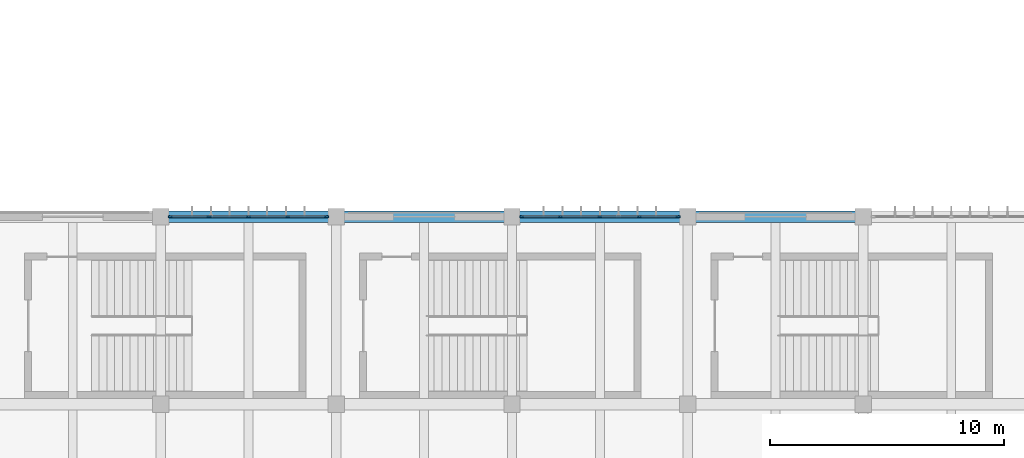
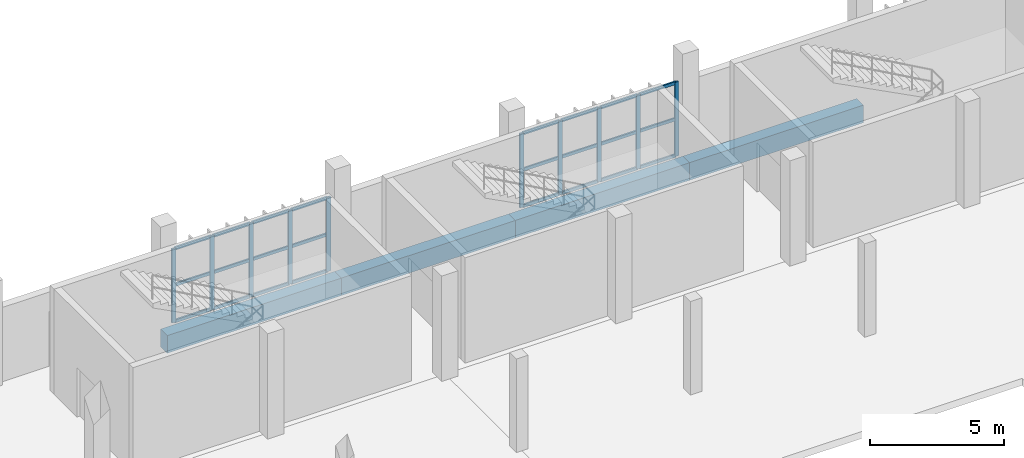
# One storey, part 16 of 72: 34 members, 4 beams, 2 elements without a shape of their own.
"""IFC4 building model written with IfcOpenShell, lengths in metres."""

from ifc_helpers import new_model, si_unit, direction, frame, origin, origin_2d, place, context, subcontext, project, spatial, rectangle, extrude, material, material_profile, profile_set, type_object, element, aggregate, save


model = new_model("IFC4")

# Units and contexts
model_context = context("Model", 3, precision=1e-05, world=origin(), true_north=direction((0.0, 1.0)))
body_context = subcontext(model_context, "Body", "Model", "MODEL_VIEW")
ifc_project = project(units=[si_unit("LENGTHUNIT", "METRE"), si_unit("AREAUNIT", "SQUARE_METRE"), si_unit("VOLUMEUNIT", "CUBIC_METRE"), si_unit("PLANEANGLEUNIT", "RADIAN"), si_unit("MASSUNIT", "GRAM", prefix="KILO")], contexts=[model_context])

# Site, building, storey
site_placement = place(None, origin())
site = spatial("IfcSite", under=ifc_project, at=site_placement, CompositionType="ELEMENT")
building_placement = place(site_placement, origin())
building = spatial("IfcBuilding", under=site, at=building_placement, Name="Vourika Railside Aquatics Centre", CompositionType="ELEMENT")
storey_placement = place(building_placement, origin())
storey = spatial("IfcBuildingStorey", under=building, at=storey_placement, Name="L00", CompositionType="ELEMENT", Elevation=0.0)

# Beams
ifc_material_1 = material(Name="Concrete C40/50", Category="concrete")
ifc_material_profile_1 = material_profile(ifc_material_1, rectangle(XDim=0.5, YDim=0.800048828125, at=origin_2d()), Name="RC 500x800")
ifc_profile_set_1 = profile_set([ifc_material_profile_1], Name="Concrete C40/50")
beam_type = type_object("IfcBeamType", Name="BM-TIE-500x800", PredefinedType="BEAM", material=ifc_profile_set_1)
for number, where, z_axis, x_axis, name in (
    (1, (66.0, 66.0, -0.719970703125), (1.0, 0.0, 0.0), (0.0, 1.0, 0.0), "Floor Beam GX-L00-101"),
    (2, (73.5, 66.0, -0.719970703125), (1.0, 0.0, 0.0), (0.0, 1.0, 0.0), "Floor Beam GX-L00-102"),
    (3, (81.0, 66.0, -0.719970703125), (1.0, 0.0, 0.0), (0.0, 1.0, 0.0), "Floor Beam GX-L00-103"),
    (4, (88.5, 66.0, -0.719970703125), (1.0, 0.0, 0.0), (0.0, 1.0, 0.0), "Floor Beam GX-L00-104"),
):
    element("IfcBeam", number, at=place(storey_placement, frame(where, z_axis=z_axis, x_axis=x_axis)), inside=storey, type_object=beam_type, Name=name, PredefinedType="BEAM", context=body_context, shape_type="SweptSolid", body=[
        extrude(rectangle(XDim=0.5, YDim=0.800048828125, at=origin_2d()), origin(), (0.0, 0.0, 1.0), 7.5),
    ])

# Curtain wall, members
ifc_material_2 = material(Name="Anodized thermally broken aluminium", Category="aluminium")
curtain_wall_type = type_object("IfcCurtainWallType", Name="CW-CRT0", PredefinedType="NOTDEFINED", material=ifc_material_2)
curtain_wall_1_placement = place(storey_placement, origin())
curtain_wall_1 = element("IfcCurtainWall", 5, at=curtain_wall_1_placement, inside=storey, type_object=curtain_wall_type, Name="North Courtyard Undercroft Curtain Wall 5", PredefinedType="NOTDEFINED")
ifc_material_3 = material(Name="Anodized aluminium mullion", Category="aluminium")
ifc_material_profile_2 = material_profile(ifc_material_3, rectangle(XDim=0.070068359375, YDim=0.177978515625, at=origin_2d()), Name="ALU-M 70x178")
ifc_profile_set_2 = profile_set([ifc_material_profile_2], Name="Anodized aluminium mullion")
member_type_1 = type_object("IfcMemberType", Name="CWM-CRT0", PredefinedType="MULLION", material=ifc_profile_set_2)
member_1_placement = place(storey_placement, frame((73.0849609375, 66.0, 0.0), z_axis=(0.0, 0.0, 1.0), x_axis=(0.0, -1.0, 0.0)))
member_1 = element("IfcMember", 6, at=member_1_placement, type_object=member_type_1, Name="CW12 mullion 1", PredefinedType="MULLION", context=body_context, shape_type="SweptSolid", body=[
    extrude(rectangle(XDim=0.070068359375, YDim=0.177978515625, at=origin_2d()), origin(), (0.0, 0.0, 1.0), 3.3798828125),
])
member_2_placement = place(storey_placement, frame((71.43505859375, 66.0, 0.0), z_axis=(0.0, 0.0, 1.0), x_axis=(0.0, -1.0, 0.0)))
member_2 = element("IfcMember", 7, at=member_2_placement, type_object=member_type_1, Name="CW12 mullion 2", PredefinedType="MULLION", context=body_context, shape_type="SweptSolid", body=[
    extrude(rectangle(XDim=0.070068359375, YDim=0.177978515625, at=origin_2d()), origin(), (0.0, 0.0, 1.0), 3.3798828125),
])
member_3_placement = place(storey_placement, frame((69.75, 66.0, 0.0), z_axis=(0.0, 0.0, 1.0), x_axis=(0.0, -1.0, 0.0)))
member_3 = element("IfcMember", 8, at=member_3_placement, type_object=member_type_1, Name="CW12 mullion 3", PredefinedType="MULLION", context=body_context, shape_type="SweptSolid", body=[
    extrude(rectangle(XDim=0.070068359375, YDim=0.177978515625, at=origin_2d()), origin(), (0.0, 0.0, 1.0), 3.3798828125),
])
member_4_placement = place(storey_placement, frame((68.06494140625, 66.0, 0.0), z_axis=(0.0, 0.0, 1.0), x_axis=(0.0, -1.0, 0.0)))
member_4 = element("IfcMember", 9, at=member_4_placement, type_object=member_type_1, Name="CW12 mullion 4", PredefinedType="MULLION", context=body_context, shape_type="SweptSolid", body=[
    extrude(rectangle(XDim=0.070068359375, YDim=0.177978515625, at=origin_2d()), origin(), (0.0, 0.0, 1.0), 3.3798828125),
])
member_5_placement = place(storey_placement, frame((66.4150390625, 66.0, 0.0), z_axis=(0.0, 0.0, 1.0), x_axis=(0.0, -1.0, 0.0)))
member_5 = element("IfcMember", 10, at=member_5_placement, type_object=member_type_1, Name="CW12 mullion 5", PredefinedType="MULLION", context=body_context, shape_type="SweptSolid", body=[
    extrude(rectangle(XDim=0.070068359375, YDim=0.177978515625, at=origin_2d()), origin(), (0.0, 0.0, 1.0), 3.3798828125),
])

curtain_wall_2_placement = place(storey_placement, origin())
curtain_wall_2 = element("IfcCurtainWall", 11, at=curtain_wall_2_placement, inside=storey, type_object=curtain_wall_type, Name="North Courtyard Undercroft Curtain Wall 7", PredefinedType="NOTDEFINED")
member_6_placement = place(storey_placement, frame((88.0849609375, 66.0, 0.0), z_axis=(0.0, 0.0, 1.0), x_axis=(0.0, -1.0, 0.0)))
member_6 = element("IfcMember", 12, at=member_6_placement, type_object=member_type_1, Name="CW12 mullion 1", PredefinedType="MULLION", context=body_context, shape_type="SweptSolid", body=[
    extrude(rectangle(XDim=0.070068359375, YDim=0.177978515625, at=origin_2d()), origin(), (0.0, 0.0, 1.0), 3.3798828125),
])
member_7_placement = place(storey_placement, frame((86.43505859375, 66.0, 0.0), z_axis=(0.0, 0.0, 1.0), x_axis=(0.0, -1.0, 0.0)))
member_7 = element("IfcMember", 13, at=member_7_placement, type_object=member_type_1, Name="CW12 mullion 2", PredefinedType="MULLION", context=body_context, shape_type="SweptSolid", body=[
    extrude(rectangle(XDim=0.070068359375, YDim=0.177978515625, at=origin_2d()), origin(), (0.0, 0.0, 1.0), 3.3798828125),
])
member_8_placement = place(storey_placement, frame((84.75, 66.0, 0.0), z_axis=(0.0, 0.0, 1.0), x_axis=(0.0, -1.0, 0.0)))
member_8 = element("IfcMember", 14, at=member_8_placement, type_object=member_type_1, Name="CW12 mullion 3", PredefinedType="MULLION", context=body_context, shape_type="SweptSolid", body=[
    extrude(rectangle(XDim=0.070068359375, YDim=0.177978515625, at=origin_2d()), origin(), (0.0, 0.0, 1.0), 3.3798828125),
])
member_9_placement = place(storey_placement, frame((83.06494140625, 66.0, 0.0), z_axis=(0.0, 0.0, 1.0), x_axis=(0.0, -1.0, 0.0)))
member_9 = element("IfcMember", 15, at=member_9_placement, type_object=member_type_1, Name="CW12 mullion 4", PredefinedType="MULLION", context=body_context, shape_type="SweptSolid", body=[
    extrude(rectangle(XDim=0.070068359375, YDim=0.177978515625, at=origin_2d()), origin(), (0.0, 0.0, 1.0), 3.3798828125),
])
member_10_placement = place(storey_placement, frame((81.4150390625, 66.0, 0.0), z_axis=(0.0, 0.0, 1.0), x_axis=(0.0, -1.0, 0.0)))
member_10 = element("IfcMember", 16, at=member_10_placement, type_object=member_type_1, Name="CW12 mullion 5", PredefinedType="MULLION", context=body_context, shape_type="SweptSolid", body=[
    extrude(rectangle(XDim=0.070068359375, YDim=0.177978515625, at=origin_2d()), origin(), (0.0, 0.0, 1.0), 3.3798828125),
])

# Member
ifc_material_4 = material(Name="Anodized aluminium transom", Category="aluminium")
ifc_material_profile_3 = material_profile(ifc_material_4, rectangle(XDim=0.070068359375, YDim=0.139892578125, at=origin_2d()), Name="ALU-T 70x140")
ifc_profile_set_3 = profile_set([ifc_material_profile_3], Name="Anodized aluminium transom")
member_type_2 = type_object("IfcMemberType", Name="CWT-CRT0", PredefinedType="USERDEFINED", material=ifc_profile_set_3)
member_11_placement = place(storey_placement, frame((73.050048828125, 66.0, 0.034912109375), z_axis=(-1.0, 0.0, 0.0), x_axis=(0.0, -1.0, 0.0)))
member_11 = element("IfcMember", 17, at=member_11_placement, type_object=member_type_2, Name="CW12 transom 1.1", ObjectType="TRANSOM", PredefinedType="USERDEFINED", context=body_context, shape_type="SweptSolid", body=[
    extrude(rectangle(XDim=0.070068359375, YDim=0.139892578125, at=origin_2d()), origin(), (0.0, 0.0, 1.0), 1.580078125),
])

member_12_placement = place(storey_placement, frame((73.050048828125, 66.0, 1.68994140625), z_axis=(-1.0, 0.0, 0.0), x_axis=(0.0, -1.0, 0.0)))
member_12 = element("IfcMember", 18, at=member_12_placement, type_object=member_type_2, Name="CW12 transom 1.2", ObjectType="TRANSOM", PredefinedType="USERDEFINED", context=body_context, shape_type="SweptSolid", body=[
    extrude(rectangle(XDim=0.070068359375, YDim=0.139892578125, at=origin_2d()), origin(), (0.0, 0.0, 1.0), 1.580078125),
])

member_13_placement = place(storey_placement, frame((73.050048828125, 66.0, 3.344970703125), z_axis=(-1.0, 0.0, 0.0), x_axis=(0.0, -1.0, 0.0)))
member_13 = element("IfcMember", 19, at=member_13_placement, type_object=member_type_2, Name="CW12 transom 1.3", ObjectType="TRANSOM", PredefinedType="USERDEFINED", context=body_context, shape_type="SweptSolid", body=[
    extrude(rectangle(XDim=0.070068359375, YDim=0.139892578125, at=origin_2d()), origin(), (0.0, 0.0, 1.0), 1.580078125),
])

member_14_placement = place(storey_placement, frame((71.39990234375, 66.0, 0.034912109375), z_axis=(-1.0, 0.0, 0.0), x_axis=(0.0, -1.0, 0.0)))
member_14 = element("IfcMember", 20, at=member_14_placement, type_object=member_type_2, Name="CW12 transom 2.1", ObjectType="TRANSOM", PredefinedType="USERDEFINED", context=body_context, shape_type="SweptSolid", body=[
    extrude(rectangle(XDim=0.070068359375, YDim=0.139892578125, at=origin_2d()), origin(), (0.0, 0.0, 1.0), 1.614990234375),
])

member_15_placement = place(storey_placement, frame((71.39990234375, 66.0, 1.68994140625), z_axis=(-1.0, 0.0, 0.0), x_axis=(0.0, -1.0, 0.0)))
member_15 = element("IfcMember", 21, at=member_15_placement, type_object=member_type_2, Name="CW12 transom 2.2", ObjectType="TRANSOM", PredefinedType="USERDEFINED", context=body_context, shape_type="SweptSolid", body=[
    extrude(rectangle(XDim=0.070068359375, YDim=0.139892578125, at=origin_2d()), origin(), (0.0, 0.0, 1.0), 1.614990234375),
])

member_16_placement = place(storey_placement, frame((71.39990234375, 66.0, 3.344970703125), z_axis=(-1.0, 0.0, 0.0), x_axis=(0.0, -1.0, 0.0)))
member_16 = element("IfcMember", 22, at=member_16_placement, type_object=member_type_2, Name="CW12 transom 2.3", ObjectType="TRANSOM", PredefinedType="USERDEFINED", context=body_context, shape_type="SweptSolid", body=[
    extrude(rectangle(XDim=0.070068359375, YDim=0.139892578125, at=origin_2d()), origin(), (0.0, 0.0, 1.0), 1.614990234375),
])

member_17_placement = place(storey_placement, frame((69.715087890625, 66.0, 0.034912109375), z_axis=(-1.0, 0.0, 0.0), x_axis=(0.0, -1.0, 0.0)))
member_17 = element("IfcMember", 23, at=member_17_placement, type_object=member_type_2, Name="CW12 transom 3.1", ObjectType="TRANSOM", PredefinedType="USERDEFINED", context=body_context, shape_type="SweptSolid", body=[
    extrude(rectangle(XDim=0.070068359375, YDim=0.139892578125, at=origin_2d()), origin(), (0.0, 0.0, 1.0), 1.614990234375),
])

member_18_placement = place(storey_placement, frame((69.715087890625, 66.0, 1.68994140625), z_axis=(-1.0, 0.0, 0.0), x_axis=(0.0, -1.0, 0.0)))
member_18 = element("IfcMember", 24, at=member_18_placement, type_object=member_type_2, Name="CW12 transom 3.2", ObjectType="TRANSOM", PredefinedType="USERDEFINED", context=body_context, shape_type="SweptSolid", body=[
    extrude(rectangle(XDim=0.070068359375, YDim=0.139892578125, at=origin_2d()), origin(), (0.0, 0.0, 1.0), 1.614990234375),
])

member_19_placement = place(storey_placement, frame((69.715087890625, 66.0, 3.344970703125), z_axis=(-1.0, 0.0, 0.0), x_axis=(0.0, -1.0, 0.0)))
member_19 = element("IfcMember", 25, at=member_19_placement, type_object=member_type_2, Name="CW12 transom 3.3", ObjectType="TRANSOM", PredefinedType="USERDEFINED", context=body_context, shape_type="SweptSolid", body=[
    extrude(rectangle(XDim=0.070068359375, YDim=0.139892578125, at=origin_2d()), origin(), (0.0, 0.0, 1.0), 1.614990234375),
])

member_20_placement = place(storey_placement, frame((68.030029296875, 66.0, 0.034912109375), z_axis=(-1.0, 0.0, 0.0), x_axis=(0.0, -1.0, 0.0)))
member_20 = element("IfcMember", 26, at=member_20_placement, type_object=member_type_2, Name="CW12 transom 4.1", ObjectType="TRANSOM", PredefinedType="USERDEFINED", context=body_context, shape_type="SweptSolid", body=[
    extrude(rectangle(XDim=0.070068359375, YDim=0.139892578125, at=origin_2d()), origin(), (0.0, 0.0, 1.0), 1.580078125),
])

member_21_placement = place(storey_placement, frame((68.030029296875, 66.0, 1.68994140625), z_axis=(-1.0, 0.0, 0.0), x_axis=(0.0, -1.0, 0.0)))
member_21 = element("IfcMember", 27, at=member_21_placement, type_object=member_type_2, Name="CW12 transom 4.2", ObjectType="TRANSOM", PredefinedType="USERDEFINED", context=body_context, shape_type="SweptSolid", body=[
    extrude(rectangle(XDim=0.070068359375, YDim=0.139892578125, at=origin_2d()), origin(), (0.0, 0.0, 1.0), 1.580078125),
])

member_22_placement = place(storey_placement, frame((68.030029296875, 66.0, 3.344970703125), z_axis=(-1.0, 0.0, 0.0), x_axis=(0.0, -1.0, 0.0)))
member_22 = element("IfcMember", 28, at=member_22_placement, type_object=member_type_2, Name="CW12 transom 4.3", ObjectType="TRANSOM", PredefinedType="USERDEFINED", context=body_context, shape_type="SweptSolid", body=[
    extrude(rectangle(XDim=0.070068359375, YDim=0.139892578125, at=origin_2d()), origin(), (0.0, 0.0, 1.0), 1.580078125),
])

aggregate(curtain_wall_1, [member_1, member_2, member_3, member_4, member_5, member_11, member_12, member_13, member_14, member_15, member_16, member_17, member_18, member_19, member_20, member_21, member_22])

member_23_placement = place(storey_placement, frame((88.050048828125, 66.0, 0.034912109375), z_axis=(-1.0, 0.0, 0.0), x_axis=(0.0, -1.0, 0.0)))
member_23 = element("IfcMember", 29, at=member_23_placement, type_object=member_type_2, Name="CW12 transom 1.1", ObjectType="TRANSOM", PredefinedType="USERDEFINED", context=body_context, shape_type="SweptSolid", body=[
    extrude(rectangle(XDim=0.070068359375, YDim=0.139892578125, at=origin_2d()), origin(), (0.0, 0.0, 1.0), 1.580078125),
])

member_24_placement = place(storey_placement, frame((88.050048828125, 66.0, 1.68994140625), z_axis=(-1.0, 0.0, 0.0), x_axis=(0.0, -1.0, 0.0)))
member_24 = element("IfcMember", 30, at=member_24_placement, type_object=member_type_2, Name="CW12 transom 1.2", ObjectType="TRANSOM", PredefinedType="USERDEFINED", context=body_context, shape_type="SweptSolid", body=[
    extrude(rectangle(XDim=0.070068359375, YDim=0.139892578125, at=origin_2d()), origin(), (0.0, 0.0, 1.0), 1.580078125),
])

member_25_placement = place(storey_placement, frame((88.050048828125, 66.0, 3.344970703125), z_axis=(-1.0, 0.0, 0.0), x_axis=(0.0, -1.0, 0.0)))
member_25 = element("IfcMember", 31, at=member_25_placement, type_object=member_type_2, Name="CW12 transom 1.3", ObjectType="TRANSOM", PredefinedType="USERDEFINED", context=body_context, shape_type="SweptSolid", body=[
    extrude(rectangle(XDim=0.070068359375, YDim=0.139892578125, at=origin_2d()), origin(), (0.0, 0.0, 1.0), 1.580078125),
])

member_26_placement = place(storey_placement, frame((86.39990234375, 66.0, 0.034912109375), z_axis=(-1.0, 0.0, 0.0), x_axis=(0.0, -1.0, 0.0)))
member_26 = element("IfcMember", 32, at=member_26_placement, type_object=member_type_2, Name="CW12 transom 2.1", ObjectType="TRANSOM", PredefinedType="USERDEFINED", context=body_context, shape_type="SweptSolid", body=[
    extrude(rectangle(XDim=0.070068359375, YDim=0.139892578125, at=origin_2d()), origin(), (0.0, 0.0, 1.0), 1.614990234375),
])

member_27_placement = place(storey_placement, frame((86.39990234375, 66.0, 1.68994140625), z_axis=(-1.0, 0.0, 0.0), x_axis=(0.0, -1.0, 0.0)))
member_27 = element("IfcMember", 33, at=member_27_placement, type_object=member_type_2, Name="CW12 transom 2.2", ObjectType="TRANSOM", PredefinedType="USERDEFINED", context=body_context, shape_type="SweptSolid", body=[
    extrude(rectangle(XDim=0.070068359375, YDim=0.139892578125, at=origin_2d()), origin(), (0.0, 0.0, 1.0), 1.614990234375),
])

member_28_placement = place(storey_placement, frame((86.39990234375, 66.0, 3.344970703125), z_axis=(-1.0, 0.0, 0.0), x_axis=(0.0, -1.0, 0.0)))
member_28 = element("IfcMember", 34, at=member_28_placement, type_object=member_type_2, Name="CW12 transom 2.3", ObjectType="TRANSOM", PredefinedType="USERDEFINED", context=body_context, shape_type="SweptSolid", body=[
    extrude(rectangle(XDim=0.070068359375, YDim=0.139892578125, at=origin_2d()), origin(), (0.0, 0.0, 1.0), 1.614990234375),
])

member_29_placement = place(storey_placement, frame((84.715087890625, 66.0, 0.034912109375), z_axis=(-1.0, 0.0, 0.0), x_axis=(0.0, -1.0, 0.0)))
member_29 = element("IfcMember", 35, at=member_29_placement, type_object=member_type_2, Name="CW12 transom 3.1", ObjectType="TRANSOM", PredefinedType="USERDEFINED", context=body_context, shape_type="SweptSolid", body=[
    extrude(rectangle(XDim=0.070068359375, YDim=0.139892578125, at=origin_2d()), origin(), (0.0, 0.0, 1.0), 1.614990234375),
])

member_30_placement = place(storey_placement, frame((84.715087890625, 66.0, 1.68994140625), z_axis=(-1.0, 0.0, 0.0), x_axis=(0.0, -1.0, 0.0)))
member_30 = element("IfcMember", 36, at=member_30_placement, type_object=member_type_2, Name="CW12 transom 3.2", ObjectType="TRANSOM", PredefinedType="USERDEFINED", context=body_context, shape_type="SweptSolid", body=[
    extrude(rectangle(XDim=0.070068359375, YDim=0.139892578125, at=origin_2d()), origin(), (0.0, 0.0, 1.0), 1.614990234375),
])

member_31_placement = place(storey_placement, frame((84.715087890625, 66.0, 3.344970703125), z_axis=(-1.0, 0.0, 0.0), x_axis=(0.0, -1.0, 0.0)))
member_31 = element("IfcMember", 37, at=member_31_placement, type_object=member_type_2, Name="CW12 transom 3.3", ObjectType="TRANSOM", PredefinedType="USERDEFINED", context=body_context, shape_type="SweptSolid", body=[
    extrude(rectangle(XDim=0.070068359375, YDim=0.139892578125, at=origin_2d()), origin(), (0.0, 0.0, 1.0), 1.614990234375),
])

member_32_placement = place(storey_placement, frame((83.030029296875, 66.0, 0.034912109375), z_axis=(-1.0, 0.0, 0.0), x_axis=(0.0, -1.0, 0.0)))
member_32 = element("IfcMember", 38, at=member_32_placement, type_object=member_type_2, Name="CW12 transom 4.1", ObjectType="TRANSOM", PredefinedType="USERDEFINED", context=body_context, shape_type="SweptSolid", body=[
    extrude(rectangle(XDim=0.070068359375, YDim=0.139892578125, at=origin_2d()), origin(), (0.0, 0.0, 1.0), 1.580078125),
])

member_33_placement = place(storey_placement, frame((83.030029296875, 66.0, 1.68994140625), z_axis=(-1.0, 0.0, 0.0), x_axis=(0.0, -1.0, 0.0)))
member_33 = element("IfcMember", 39, at=member_33_placement, type_object=member_type_2, Name="CW12 transom 4.2", ObjectType="TRANSOM", PredefinedType="USERDEFINED", context=body_context, shape_type="SweptSolid", body=[
    extrude(rectangle(XDim=0.070068359375, YDim=0.139892578125, at=origin_2d()), origin(), (0.0, 0.0, 1.0), 1.580078125),
])

member_34_placement = place(storey_placement, frame((83.030029296875, 66.0, 3.344970703125), z_axis=(-1.0, 0.0, 0.0), x_axis=(0.0, -1.0, 0.0)))
member_34 = element("IfcMember", 40, at=member_34_placement, type_object=member_type_2, Name="CW12 transom 4.3", ObjectType="TRANSOM", PredefinedType="USERDEFINED", context=body_context, shape_type="SweptSolid", body=[
    extrude(rectangle(XDim=0.070068359375, YDim=0.139892578125, at=origin_2d()), origin(), (0.0, 0.0, 1.0), 1.580078125),
])

aggregate(curtain_wall_2, [member_6, member_7, member_8, member_9, member_10, member_23, member_24, member_25, member_26, member_27, member_28, member_29, member_30, member_31, member_32, member_33, member_34])

save(model, "model.ifc")
